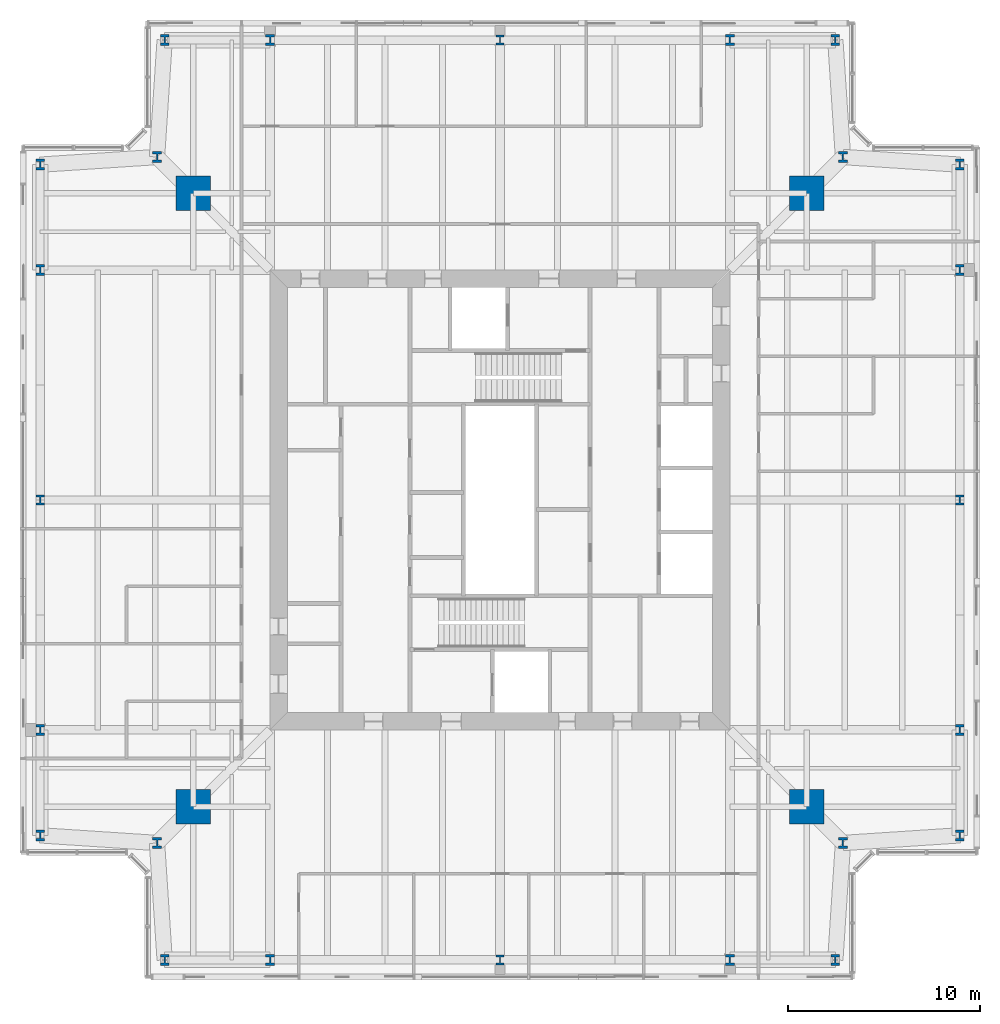
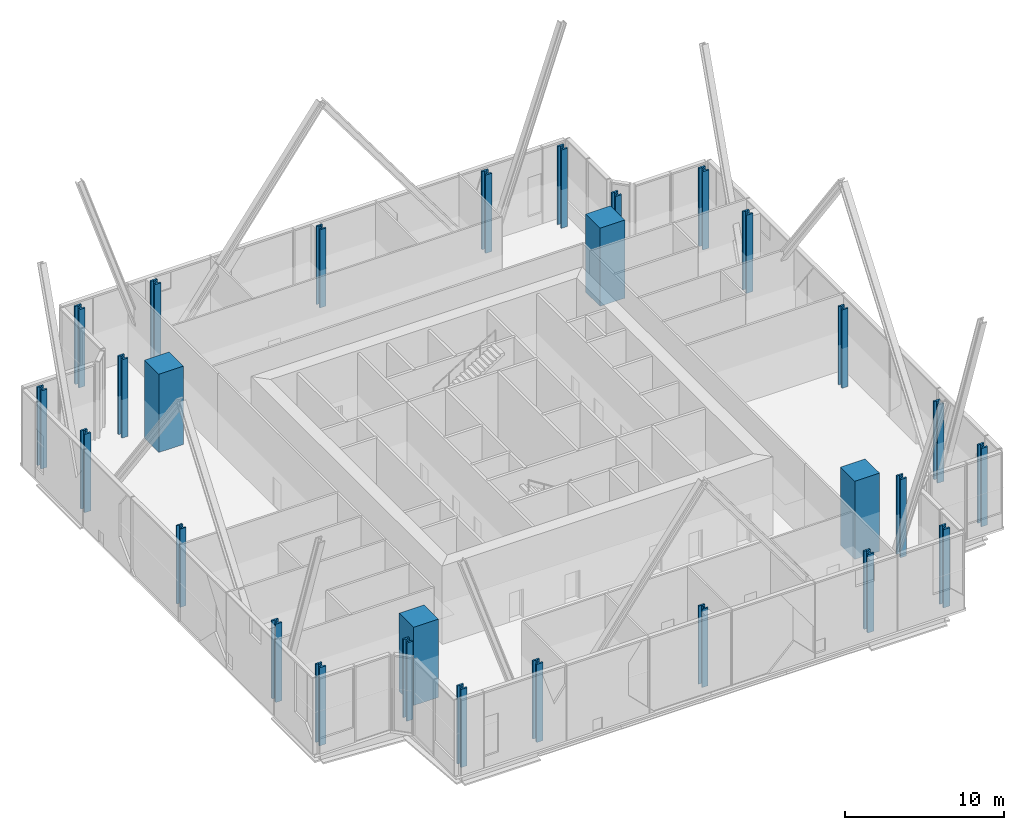
# One storey, part 1 of 20: 28 columns.
"""IFC4 building model written with IfcOpenShell, lengths in metres."""

from ifc_helpers import new_model, si_unit, direction, frame, origin, origin_2d, place, context, subcontext, project, spatial, rectangle, i_section, extrude, material, material_profile, profile_set, type_object, element, save


model = new_model("IFC4")

# Units and contexts
model_context = context("Model", 3, precision=1e-05, world=origin(), true_north=direction((0.0, 1.0)))
body_context = subcontext(model_context, "Body", "Model", "MODEL_VIEW")
ifc_project = project(units=[si_unit("LENGTHUNIT", "METRE"), si_unit("AREAUNIT", "SQUARE_METRE"), si_unit("VOLUMEUNIT", "CUBIC_METRE"), si_unit("PLANEANGLEUNIT", "RADIAN"), si_unit("MASSUNIT", "GRAM", prefix="KILO")], contexts=[model_context])

# Site, building, storey
site_placement = place(None, origin())
site = spatial("IfcSite", under=ifc_project, at=site_placement, CompositionType="ELEMENT")
building_placement = place(site_placement, origin())
building = spatial("IfcBuilding", under=site, at=building_placement, Name="Fenwick Lantern Interchange", CompositionType="ELEMENT")
storey_placement = place(building_placement, frame((0.0, 0.0, 239.800048828125)))
storey = spatial("IfcBuildingStorey", under=building, at=storey_placement, Name="L56", CompositionType="ELEMENT", Elevation=239.800048828125)

# Columns
ifc_material_1 = material(Name="Concrete f'c 70 MPa", Category="concrete")
ifc_material_profile_1 = material_profile(ifc_material_1, rectangle(XDim=1.800048828125, YDim=1.800048828125, at=origin_2d()), Name="RC1800X1800")
ifc_profile_set_1 = profile_set([ifc_material_profile_1], Name="Concrete f'c 70 MPa")
column_type_1 = type_object("IfcColumnType", Name="MEGA COLUMN RC1800X1800", PredefinedType="COLUMN", material=ifc_profile_set_1)
for number, where, z_axis, x_axis, name in (
    (1, (9.0, 9.0, 0.0), (0.0, 0.0, 1.0), (1.0, 0.0, 0.0), "L56/M1"),
    (2, (41.0, 9.0, 0.0), (0.0, 0.0, 1.0), (1.0, 0.0, 0.0), "L56/M2"),
    (3, (41.0, 41.0, 0.0), (0.0, 0.0, 1.0), (1.0, 0.0, 0.0), "L56/M3"),
    (4, (9.0, 41.0, 0.0), (0.0, 0.0, 1.0), (1.0, 0.0, 0.0), "L56/M4"),
):
    element("IfcColumn", number, at=place(storey_placement, frame(where, z_axis=z_axis, x_axis=x_axis)), inside=storey, type_object=column_type_1, Name=name, PredefinedType="COLUMN", context=body_context, shape_type="SweptSolid", body=[
        extrude(rectangle(XDim=1.800048828125, YDim=1.800048828125, at=origin_2d()), origin(), (0.0, 0.0, 1.0), 6.0),
    ])
ifc_material_2 = material(Name="Steel ASTM A992 Grade 50", Category="steel")
ifc_material_profile_2 = material_profile(ifc_material_2, i_section(OverallWidth=0.44189453125, OverallDepth=0.53076171875, WebThickness=0.06591796875, FlangeThickness=0.105712890625, at=origin_2d()), Name="W14X605")
ifc_profile_set_2 = profile_set([ifc_material_profile_2], Name="Steel ASTM A992 Grade 50")
column_type_2 = type_object("IfcColumnType", Name="PERIMETER COLUMN W14X605", PredefinedType="COLUMN", material=ifc_profile_set_2)
for number, where, z_axis, x_axis, name in (
    (5, (25.0, 1.0, 0.0), (0.0, 0.0, 1.0), (1.0, 0.0, 0.0), "L56/CS3"),
    (6, (49.0, 25.0, 0.0), (0.0, 0.0, 1.0), (1.0, 0.0, 0.0), "L56/CE3"),
    (7, (25.0, 49.0, 0.0), (0.0, 0.0, 1.0), (1.0, 0.0, 0.0), "L56/CN3"),
    (8, (1.0, 25.0, 0.0), (0.0, 0.0, 1.0), (1.0, 0.0, 0.0), "L56/CW3"),
):
    element("IfcColumn", number, at=place(storey_placement, frame(where, z_axis=z_axis, x_axis=x_axis)), inside=storey, type_object=column_type_2, Name=name, PredefinedType="COLUMN", context=body_context, shape_type="SweptSolid", body=[
        extrude(i_section(OverallWidth=0.44189453125, OverallDepth=0.53076171875, WebThickness=0.06591796875, FlangeThickness=0.105712890625, at=origin_2d()), origin(), (0.0, 0.0, 1.0), 6.0),
    ])
ifc_material_profile_3 = material_profile(ifc_material_2, i_section(OverallWidth=0.45458984375, OverallDepth=0.56884765625, WebThickness=0.077880859375, FlangeThickness=0.124755859375, at=origin_2d()), Name="W14X730")
ifc_profile_set_3 = profile_set([ifc_material_profile_3], Name="Steel ASTM A992 Grade 50")
column_type_3 = type_object("IfcColumnType", Name="PERIMETER COLUMN W14X730", PredefinedType="COLUMN", material=ifc_profile_set_3)
for number, where, z_axis, x_axis, name in (
    (9, (7.5, 1.0, 0.0), (0.0, 0.0, 1.0), (1.0, 0.0, 0.0), "L56/CS1"),
    (10, (13.0, 1.0, 0.0), (0.0, 0.0, 1.0), (1.0, 0.0, 0.0), "L56/CS2"),
    (11, (37.0, 1.0, 0.0), (0.0, 0.0, 1.0), (1.0, 0.0, 0.0), "L56/CS4"),
    (12, (42.5, 1.0, 0.0), (0.0, 0.0, 1.0), (1.0, 0.0, 0.0), "L56/CS5"),
    (13, (42.89990234375, 7.10009765625, 0.0), (0.0, 0.0, 1.0), (1.0, 0.0, 0.0), "L56/CSR"),
    (14, (49.0, 7.5, 0.0), (0.0, 0.0, 1.0), (1.0, 0.0, 0.0), "L56/CE1"),
    (15, (49.0, 13.0, 0.0), (0.0, 0.0, 1.0), (1.0, 0.0, 0.0), "L56/CE2"),
    (16, (49.0, 37.0, 0.0), (0.0, 0.0, 1.0), (1.0, 0.0, 0.0), "L56/CE4"),
    (17, (49.0, 42.5, 0.0), (0.0, 0.0, 1.0), (1.0, 0.0, 0.0), "L56/CE5"),
    (18, (42.89990234375, 42.89990234375, 0.0), (0.0, 0.0, 1.0), (1.0, 0.0, 0.0), "L56/CER"),
    (19, (42.5, 49.0, 0.0), (0.0, 0.0, 1.0), (1.0, 0.0, 0.0), "L56/CN1"),
    (20, (37.0, 49.0, 0.0), (0.0, 0.0, 1.0), (1.0, 0.0, 0.0), "L56/CN2"),
    (21, (13.0, 49.0, 0.0), (0.0, 0.0, 1.0), (1.0, 0.0, 0.0), "L56/CN4"),
    (22, (7.5, 49.0, 0.0), (0.0, 0.0, 1.0), (1.0, 0.0, 0.0), "L56/CN5"),
    (23, (7.10009765625, 42.89990234375, 0.0), (0.0, 0.0, 1.0), (1.0, 0.0, 0.0), "L56/CNR"),
    (24, (1.0, 42.5, 0.0), (0.0, 0.0, 1.0), (1.0, 0.0, 0.0), "L56/CW1"),
    (25, (1.0, 37.0, 0.0), (0.0, 0.0, 1.0), (1.0, 0.0, 0.0), "L56/CW2"),
    (26, (1.0, 13.0, 0.0), (0.0, 0.0, 1.0), (1.0, 0.0, 0.0), "L56/CW4"),
    (27, (1.0, 7.5, 0.0), (0.0, 0.0, 1.0), (1.0, 0.0, 0.0), "L56/CW5"),
    (28, (7.10009765625, 7.10009765625, 0.0), (0.0, 0.0, 1.0), (1.0, 0.0, 0.0), "L56/CWR"),
):
    element("IfcColumn", number, at=place(storey_placement, frame(where, z_axis=z_axis, x_axis=x_axis)), inside=storey, type_object=column_type_3, Name=name, PredefinedType="COLUMN", context=body_context, shape_type="SweptSolid", body=[
        extrude(i_section(OverallWidth=0.45458984375, OverallDepth=0.56884765625, WebThickness=0.077880859375, FlangeThickness=0.124755859375, at=origin_2d()), origin(), (0.0, 0.0, 1.0), 6.0),
    ])

save(model, "model.ifc")
